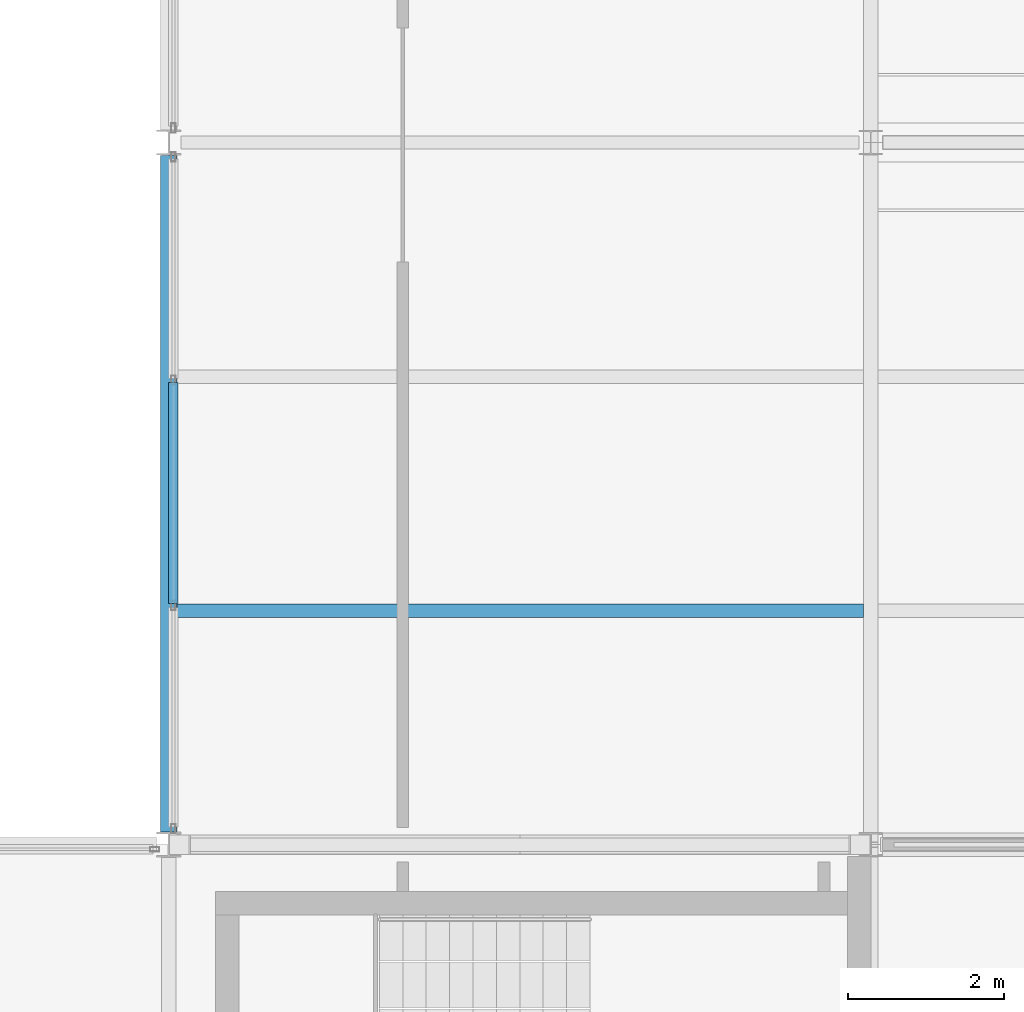
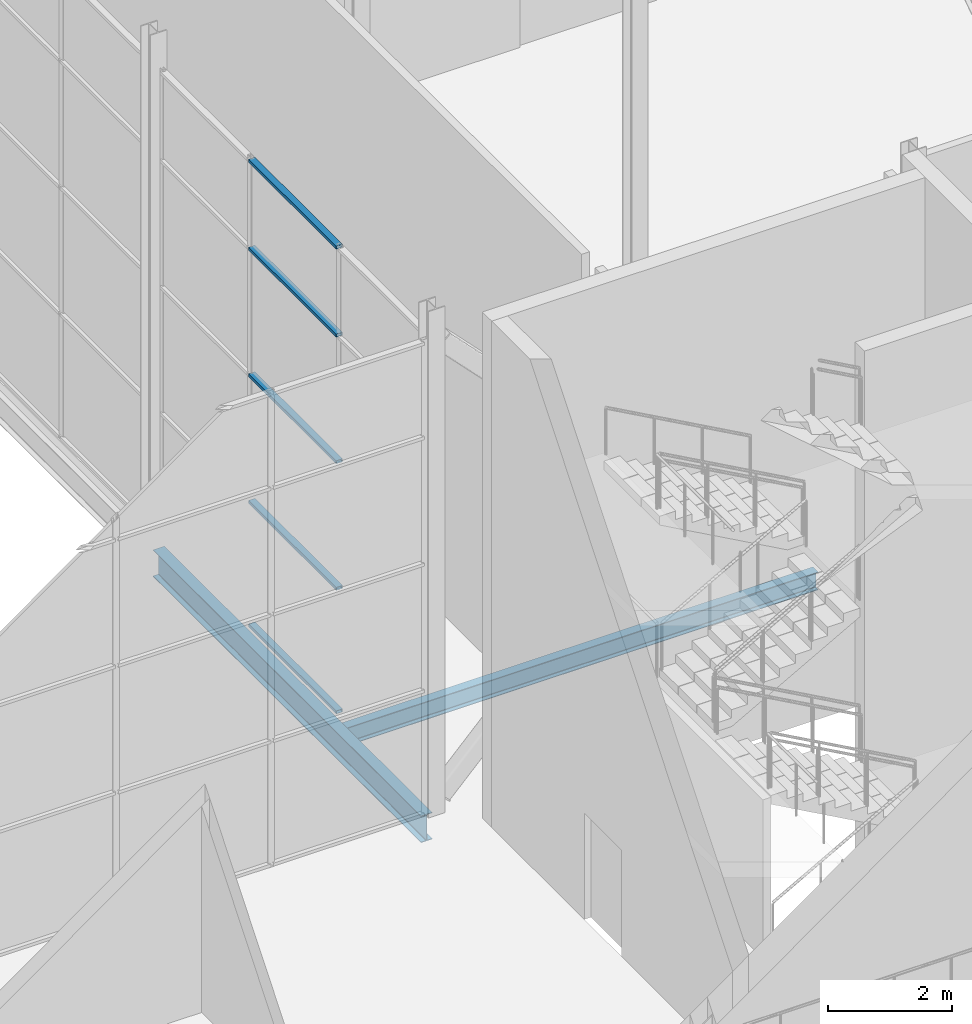
# One storey, part 53 of 111: 5 members, 2 beams, 1 element without a shape of its own.
"""IFC4 building model written with IfcOpenShell, lengths in metres."""

from ifc_helpers import new_model, si_unit, direction, frame, origin, origin_2d, place, context, subcontext, project, spatial, hollow_rectangle, i_section, extrude, material, layer, layer_set, material_profile, profile_set, type_object, element, aggregate, save


model = new_model("IFC4")

# Units and contexts
model_context = context("Model", 3, precision=1e-05, world=origin(), true_north=direction((0.0, 1.0)))
body_context = subcontext(model_context, "Body", "Model", "MODEL_VIEW")
ifc_project = project(units=[si_unit("LENGTHUNIT", "METRE"), si_unit("AREAUNIT", "SQUARE_METRE"), si_unit("VOLUMEUNIT", "CUBIC_METRE"), si_unit("PLANEANGLEUNIT", "RADIAN"), si_unit("MASSUNIT", "GRAM", prefix="KILO")], contexts=[model_context])

# Site, building, storey
site_placement = place(None, origin())
site = spatial("IfcSite", under=ifc_project, at=site_placement, CompositionType="ELEMENT")
building_placement = place(site_placement, origin())
building = spatial("IfcBuilding", under=site, at=building_placement, Name="Shorebreak Coast Museum", CompositionType="ELEMENT")
storey_placement = place(building_placement, frame((0.0, 0.0, 16.0)))
storey = spatial("IfcBuildingStorey", under=building, at=storey_placement, Name="L03", CompositionType="ELEMENT", Elevation=16.0)

# Beams
ifc_material_1 = material(Name="Steel Grade 300", Category="steel")
ifc_material_profile_1 = material_profile(ifc_material_1, i_section(OverallWidth=0.208984375, OverallDepth=0.5283203125, WebThickness=0.009521484375, FlangeThickness=0.01318359375, FilletRadius=0.013916015625, at=origin_2d()), Name="530UB82.0")
ifc_profile_set_1 = profile_set([ifc_material_profile_1], Name="Steel Grade 300")
beam_type_1 = type_object("IfcBeamType", Name="Floor girder north-south 530UB82.0", PredefinedType="BEAM", material=ifc_profile_set_1)
beam_1_placement = place(storey_placement, frame((108.0, 63.16357421875, -0.439208984375), z_axis=(0.0, 1.0, 0.0), x_axis=(-1.0, 0.0, 0.0)))
element("IfcBeam", 1, at=beam_1_placement, inside=storey, type_object=beam_type_1, Name="Floor girder north-south L03 13H", PredefinedType="BEAM", context=body_context, shape_type="SweptSolid", body=[
    extrude(i_section(OverallWidth=0.208984375, OverallDepth=0.5283203125, WebThickness=0.009521484375, FlangeThickness=0.01318359375, FilletRadius=0.013916015625, at=origin_2d()), origin(), (0.0, 0.0, 1.0), 8.6728515625),
])
ifc_material_2 = material(Name="Steel Grade 300", Category="steel")
ifc_material_profile_2 = material_profile(ifc_material_2, i_section(OverallWidth=0.1708984375, OverallDepth=0.355712890625, WebThickness=0.00732421875, FlangeThickness=0.011474609375, FilletRadius=0.011474609375, at=origin_2d()), Name="360UB50.7")
ifc_profile_set_2 = profile_set([ifc_material_profile_2], Name="Steel Grade 300")
beam_type_2 = type_object("IfcBeamType", Name="Floor joist 360UB50.7", PredefinedType="JOIST", material=ifc_profile_set_2)
beam_2_placement = place(storey_placement, frame((108.1044921875, 66.0, -0.352783203125), z_axis=(1.0, 0.0, 0.0), x_axis=(0.0, 1.0, 0.0)))
element("IfcBeam", 2, at=beam_2_placement, inside=storey, type_object=beam_type_2, Name="Floor joist L03 bay 13H at 3000 mm", PredefinedType="JOIST", context=body_context, shape_type="SweptSolid", body=[
    extrude(i_section(OverallWidth=0.1708984375, OverallDepth=0.355712890625, WebThickness=0.00732421875, FlangeThickness=0.011474609375, FilletRadius=0.011474609375, at=origin_2d()), origin(), (0.0, 0.0, 1.0), 8.800537109375),
])

# Curtain wall, members
ifc_material_3 = material(Name="Aluminium", Category="aluminium")
ifc_layer = layer(ifc_material_3, 0.1201171875)
ifc_layer_set = layer_set([ifc_layer], Name="Aluminium")
curtain_wall_type = type_object("IfcCurtainWallType", Name="Atrium fire screen", PredefinedType="NOTDEFINED", material=ifc_layer_set)
curtain_wall_placement = place(storey_placement, origin())
curtain_wall = element("IfcCurtainWall", 3, at=curtain_wall_placement, inside=storey, type_object=curtain_wall_type, Name="Atrium screen L03 E 47", PredefinedType="NOTDEFINED")
ifc_material_4 = material(Name="Aluminium", Category="aluminium")
ifc_material_profile_3 = material_profile(ifc_material_4, hollow_rectangle(XDim=0.1201171875, YDim=0.06005859375, WallThickness=0.00341796875, at=origin_2d()), Name="AL 60x120 RHS")
ifc_profile_set_3 = profile_set([ifc_material_profile_3], Name="Aluminium")
member_type = type_object("IfcMemberType", Name="Screen transom 120 x 50", PredefinedType="USERDEFINED", material=ifc_profile_set_3)
member_1_placement = place(storey_placement, frame((108.06005859375, 66.09033203125, 0.06005859375), z_axis=(0.0, 1.0, 0.0), x_axis=(-1.0, 0.0, 0.0)))
member_1 = element("IfcMember", 4, at=member_1_placement, type_object=member_type, Name="CW6 transom 2.1", ObjectType="TRANSOM", PredefinedType="USERDEFINED", context=body_context, shape_type="SweptSolid", body=[
    extrude(hollow_rectangle(XDim=0.1201171875, YDim=0.06005859375, WallThickness=0.00341796875, at=origin_2d()), origin(), (0.0, 0.0, 1.0), 2.837158203125),
])
member_2_placement = place(storey_placement, frame((108.06005859375, 66.09033203125, 2.5), z_axis=(0.0, 1.0, 0.0), x_axis=(-1.0, 0.0, 0.0)))
member_2 = element("IfcMember", 5, at=member_2_placement, type_object=member_type, Name="CW6 transom 2.2", ObjectType="TRANSOM", PredefinedType="USERDEFINED", context=body_context, shape_type="SweptSolid", body=[
    extrude(hollow_rectangle(XDim=0.1201171875, YDim=0.06005859375, WallThickness=0.00341796875, at=origin_2d()), origin(), (0.0, 0.0, 1.0), 2.837158203125),
])
member_3_placement = place(storey_placement, frame((108.06005859375, 66.09033203125, 5.0), z_axis=(0.0, 1.0, 0.0), x_axis=(-1.0, 0.0, 0.0)))
member_3 = element("IfcMember", 6, at=member_3_placement, type_object=member_type, Name="CW6 transom 2.3", ObjectType="TRANSOM", PredefinedType="USERDEFINED", context=body_context, shape_type="SweptSolid", body=[
    extrude(hollow_rectangle(XDim=0.1201171875, YDim=0.06005859375, WallThickness=0.00341796875, at=origin_2d()), origin(), (0.0, 0.0, 1.0), 2.837158203125),
])
member_4_placement = place(storey_placement, frame((108.06005859375, 66.09033203125, 7.5), z_axis=(0.0, 1.0, 0.0), x_axis=(-1.0, 0.0, 0.0)))
member_4 = element("IfcMember", 7, at=member_4_placement, type_object=member_type, Name="CW6 transom 2.4", ObjectType="TRANSOM", PredefinedType="USERDEFINED", context=body_context, shape_type="SweptSolid", body=[
    extrude(hollow_rectangle(XDim=0.1201171875, YDim=0.06005859375, WallThickness=0.00341796875, at=origin_2d()), origin(), (0.0, 0.0, 1.0), 2.837158203125),
])
member_5_placement = place(storey_placement, frame((108.06005859375, 66.09033203125, 9.23681640625), z_axis=(0.0, 1.0, 0.0), x_axis=(-1.0, 0.0, 0.0)))
member_5 = element("IfcMember", 8, at=member_5_placement, type_object=member_type, Name="CW6 transom 2.5", ObjectType="TRANSOM", PredefinedType="USERDEFINED", context=body_context, shape_type="SweptSolid", body=[
    extrude(hollow_rectangle(XDim=0.1201171875, YDim=0.06005859375, WallThickness=0.00341796875, at=origin_2d()), origin(), (0.0, 0.0, 1.0), 2.837158203125),
])
aggregate(curtain_wall, [member_1, member_2, member_3, member_4, member_5])

save(model, "model.ifc")
